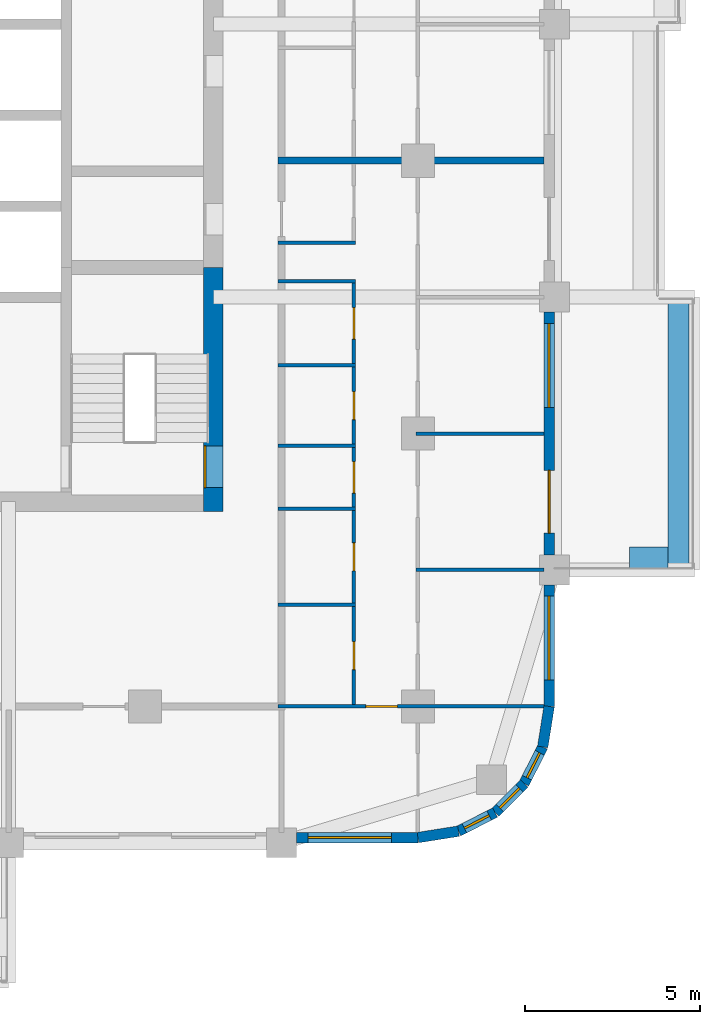
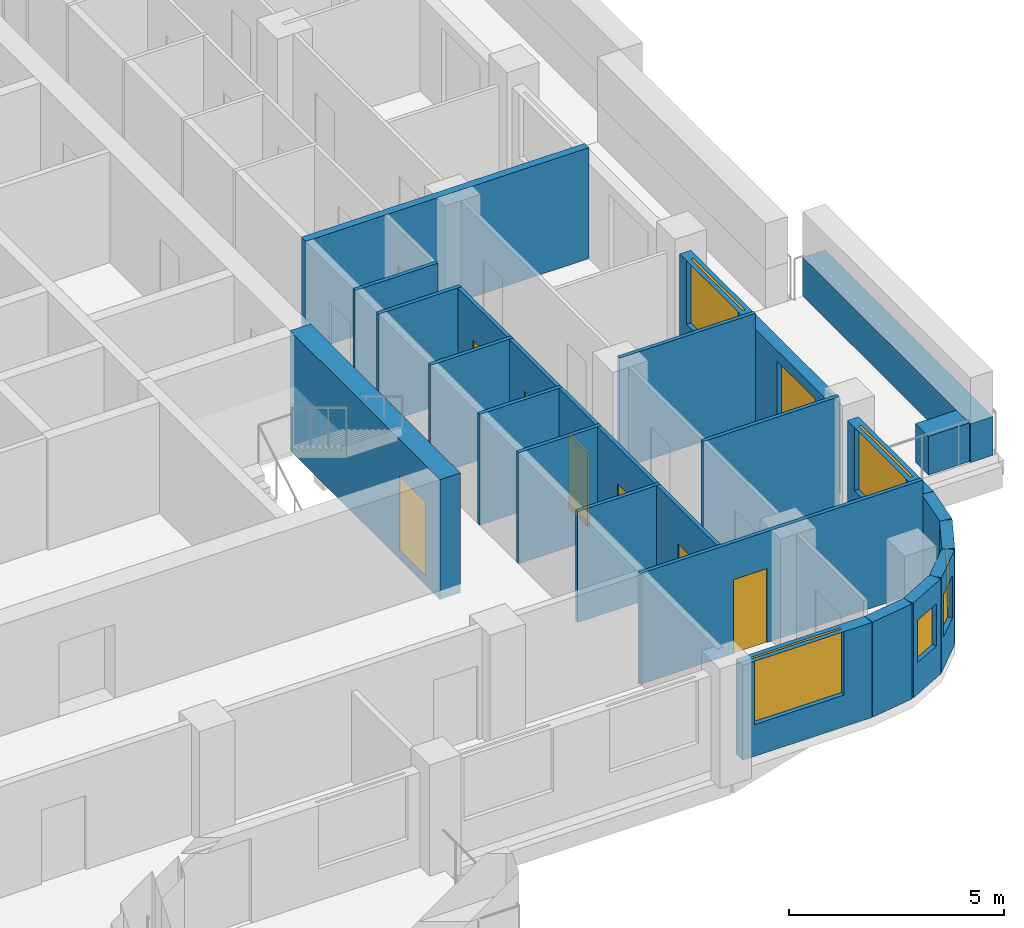
# One storey, part 5 of 12: 22 walls, 8 doors, 6 windows, 14 openings.
"""IFC4 building model written with IfcOpenShell, lengths in metres."""

from ifc_helpers import new_model, si_unit, direction, frame, frame_2d, origin, place, context, subcontext, project, spatial, rectangle, extrude, material, layer, layer_set, type_object, element, fill, save


model = new_model("IFC4")

# Units and contexts
model_context = context("Model", 3, precision=1e-05, world=origin(), true_north=direction((0.0, 1.0)))
body_context = subcontext(model_context, "Body", "Model", "MODEL_VIEW")
ifc_project = project(units=[si_unit("LENGTHUNIT", "METRE"), si_unit("AREAUNIT", "SQUARE_METRE"), si_unit("VOLUMEUNIT", "CUBIC_METRE"), si_unit("PLANEANGLEUNIT", "RADIAN"), si_unit("MASSUNIT", "GRAM", prefix="KILO")], contexts=[model_context])

# Site, building, storey
site_placement = place(None, origin())
site = spatial("IfcSite", under=ifc_project, at=site_placement, CompositionType="ELEMENT")
building_placement = place(site_placement, origin())
building = spatial("IfcBuilding", under=site, at=building_placement, Name="Ludao Terraces", CompositionType="ELEMENT")
storey_placement = place(building_placement, frame((0.0, 0.0, 137.300048828125)))
storey = spatial("IfcBuildingStorey", under=building, at=storey_placement, Name="L37", CompositionType="ELEMENT", Elevation=137.300048828125)

# Wall, opening, door
ifc_material_1 = material(Name="Concrete C60", Category="concrete")
ifc_layer_1 = layer(ifc_material_1, 0.550048828125)
ifc_layer_set_1 = layer_set([ifc_layer_1], Name="Core wall 550 C60")
wall_type_1 = type_object("IfcWallType", Name="Core wall 550 C60", PredefinedType="SOLIDWALL", material=ifc_layer_set_1)
wall_1_placement = place(storey_placement, frame((94.75, 54.97509765625, -0.25), z_axis=(0.0, 0.0, 1.0), x_axis=(0.0, 1.0, 0.0)))
wall_1 = element("IfcWall", 1, at=wall_1_placement, inside=storey, type_object=wall_type_1, Name="Core wall L37 outer-E-S3", PredefinedType="SOLIDWALL", context=body_context, shape_type="SweptSolid", body=[
    extrude(rectangle(XDim=6.974853515625, YDim=0.550048828125, at=frame_2d((3.4873046875, 0.0))), origin(), (0.0, 0.0, 1.0), 3.39990234375),
])
opening_1_placement = place(wall_1_placement, frame((0.675048828125, 0.0, 0.25)))
opening_1 = element("IfcOpeningElement", 2, at=opening_1_placement, cuts=wall_1, Name="Opening R12-019", PredefinedType="OPENING", context=body_context, shape_type="SweptSolid", body=[
    extrude(rectangle(XDim=1.199951171875, YDim=2.10009765625, at=frame_2d((0.60009765625, 1.050048828125))), frame((0.0, 0.28515625, 0.0), z_axis=(0.0, -1.0, 0.0), x_axis=(1.0, 0.0, 0.0)), (0.0, 0.0, 1.0), 0.570068359375),
])
ifc_material_2 = material(Name="Steel Q235", Category="steel")
door_type_1 = type_object("IfcDoorType", Name="INT Stair door 1200", OperationType="DOUBLE_DOOR_SINGLE_SWING", PredefinedType="DOOR", material=ifc_material_2)
door_1_placement = place(opening_1_placement, origin())
door_1 = element("IfcDoor", 3, at=door_1_placement, inside=storey, type_object=door_type_1, Name="DOOR 019", OperationType="DOUBLE_DOOR_SINGLE_SWING", OverallHeight=2.10009765625, OverallWidth=1.199951171875, PredefinedType="DOOR", context=body_context, shape_type="SweptSolid", body=[
    extrude(rectangle(XDim=1.199951171875, YDim=2.10009765625, at=frame_2d((0.60009765625, 1.050048828125))), frame((0.0, 0.26025390625, 0.0), z_axis=(0.0, -1.0, 0.0), x_axis=(1.0, 0.0, 0.0)), (0.0, 0.0, 1.0), 0.050048828125),
])
fill(opening_1, door_1)

# Walls
ifc_material_3 = material(Name="Concrete C40", Category="concrete")
ifc_layer_2 = layer(ifc_material_3, 0.60009765625)
ifc_layer_set_2 = layer_set([ifc_layer_2], Name="ENV Planter trough 600")
wall_type_2 = type_object("IfcWallType", Name="ENV Planter trough 600", PredefinedType="USERDEFINED", material=ifc_layer_set_2)
wall_2_placement = place(storey_placement, frame((108.050048828125, 53.300048828125, 0.0), z_axis=(0.0, 0.0, 1.0), x_axis=(0.0, 1.0, 0.0)))
element("IfcWall", 4, at=wall_2_placement, inside=storey, type_object=wall_type_2, Name="PL-L37-E1", ObjectType="PLANTER", PredefinedType="USERDEFINED", context=body_context, shape_type="SweptSolid", body=[
    extrude(rectangle(XDim=7.800048828125, YDim=0.60009765625, at=frame_2d((3.89990234375, 0.0))), origin(), (0.0, 0.0, 1.0), 1.099853515625),
])
wall_3_placement = place(storey_placement, frame((107.75, 53.64990234375, 0.0), z_axis=(0.0, 0.0, 1.0), x_axis=(-1.0, 0.0, 0.0)))
element("IfcWall", 5, at=wall_3_placement, inside=storey, type_object=wall_type_2, Name="PL-L37-E1-SA", ObjectType="PLANTER", PredefinedType="USERDEFINED", context=body_context, shape_type="SweptSolid", body=[
    extrude(rectangle(XDim=1.10009765625, YDim=0.60009765625, at=frame_2d((0.550048828125, 0.0))), origin(), (0.0, 0.0, 1.0), 1.099853515625),
])

# Wall, opening, window
ifc_material_4 = material(Name="Granite cladding", Category="masonry")
ifc_layer_3 = layer(ifc_material_4, 0.0400390625, Category="stone")
ifc_material_5 = material(Name="Mineral wool")
ifc_layer_4 = layer(ifc_material_5, 0.06005859375)
ifc_layer_5 = layer(ifc_material_3, 0.199951171875, Category="concrete")
ifc_layer_set_3 = layer_set([ifc_layer_3, ifc_layer_4, ifc_layer_5], Name="ENV Stone-clad wall 300")
wall_type_3 = type_object("IfcWallType", Name="ENV Stone-clad wall 300", PredefinedType="SOLIDWALL", material=ifc_layer_set_3)
wall_4_placement = place(storey_placement, frame((97.125, 45.64990234375, 0.0), z_axis=(0.0, 0.0, 1.0), x_axis=(1.0, 0.0, 0.0)))
wall_4 = element("IfcWall", 6, at=wall_4_placement, inside=storey, type_object=wall_type_3, Name="EW-L37-S5", PredefinedType="SOLIDWALL", context=body_context, shape_type="SweptSolid", body=[
    extrude(rectangle(XDim=3.47509765625, YDim=0.300048828125, at=frame_2d((1.737548828125, 0.0))), origin(), (0.0, 0.0, 1.0), 2.699951171875),
])
opening_2_placement = place(wall_4_placement, frame((0.324951171875, 0.0, 0.89990234375)))
opening_2 = element("IfcOpeningElement", 7, at=opening_2_placement, cuts=wall_4, Name="Opening W1", PredefinedType="OPENING", context=body_context, shape_type="SweptSolid", body=[
    extrude(rectangle(XDim=2.39990234375, YDim=1.800048828125, at=frame_2d((1.199951171875, 0.89990234375))), frame((0.0, 0.16015625, 0.0), z_axis=(0.0, -1.0, 0.0), x_axis=(1.0, 0.0, 0.0)), (0.0, 0.0, 1.0), 0.320068359375),
])
ifc_material_6 = material(Name="Clear glass in aluminium frame", Category="aluminium")
ifc_layer_6 = layer(ifc_material_6, 0.06005859375)
ifc_layer_set_4 = layer_set([ifc_layer_6], Name="ENV Window W1 2400x1800")
window_type_1 = type_object("IfcWindowType", Name="ENV Window W1 2400x1800", PartitioningType="DOUBLE_PANEL_VERTICAL", PredefinedType="WINDOW", material=ifc_layer_set_4)
window_1_placement = place(opening_2_placement, origin())
window_1 = element("IfcWindow", 8, at=window_1_placement, inside=storey, type_object=window_type_1, Name="W-L37-S5-1", OverallHeight=1.800048828125, OverallWidth=2.39990234375, PartitioningType="DOUBLE_PANEL_VERTICAL", PredefinedType="WINDOW", context=body_context, shape_type="SweptSolid", body=[
    extrude(rectangle(XDim=2.39990234375, YDim=1.800048828125, at=frame_2d((1.199951171875, 0.89990234375))), frame((0.0, 0.030029296875, 0.0), z_axis=(0.0, -1.0, 0.0), x_axis=(1.0, 0.0, 0.0)), (0.0, 0.0, 1.0), 0.06005859375),
])
fill(opening_2, window_1)

wall_5_placement = place(storey_placement, frame((104.35009765625, 49.39990234375, 0.0), z_axis=(0.0, 0.0, 1.0), x_axis=(0.0, 1.0, 0.0)))
wall_5 = element("IfcWall", 9, at=wall_5_placement, inside=storey, type_object=wall_type_3, Name="EW-L37-E1", PredefinedType="SOLIDWALL", context=body_context, shape_type="SweptSolid", body=[
    extrude(rectangle(XDim=3.47509765625, YDim=0.300048828125, at=frame_2d((1.737548828125, 0.0))), origin(), (0.0, 0.0, 1.0), 2.699951171875),
])
opening_3_placement = place(wall_5_placement, frame((0.75, 0.0, 0.89990234375)))
opening_3 = element("IfcOpeningElement", 10, at=opening_3_placement, cuts=wall_5, Name="Opening W1", PredefinedType="OPENING", context=body_context, shape_type="SweptSolid", body=[
    extrude(rectangle(XDim=2.39990234375, YDim=1.800048828125, at=frame_2d((1.199951171875, 0.89990234375))), frame((0.0, 0.16015625, 0.0), z_axis=(0.0, -1.0, 0.0), x_axis=(1.0, 0.0, 0.0)), (0.0, 0.0, 1.0), 0.320068359375),
])
window_2_placement = place(opening_3_placement, origin())
window_2 = element("IfcWindow", 11, at=window_2_placement, inside=storey, type_object=window_type_1, Name="W-L37-E1-1", OverallHeight=1.800048828125, OverallWidth=2.39990234375, PartitioningType="DOUBLE_PANEL_VERTICAL", PredefinedType="WINDOW", context=body_context, shape_type="SweptSolid", body=[
    extrude(rectangle(XDim=2.39990234375, YDim=1.800048828125, at=frame_2d((1.199951171875, 0.89990234375))), frame((0.0, 0.030029296875, 0.0), z_axis=(0.0, -1.0, 0.0), x_axis=(1.0, 0.0, 0.0)), (0.0, 0.0, 1.0), 0.06005859375),
])
fill(opening_3, window_2)

# Wall, openings, door, window
wall_6_placement = place(storey_placement, frame((104.35009765625, 53.72509765625, 0.0), z_axis=(0.0, 0.0, 1.0), x_axis=(0.0, 1.0, 0.0)))
wall_6 = element("IfcWall", 12, at=wall_6_placement, inside=storey, type_object=wall_type_3, Name="EW-L37-E2", PredefinedType="SOLIDWALL", context=body_context, shape_type="SweptSolid", body=[
    extrude(rectangle(XDim=6.949951171875, YDim=0.300048828125, at=frame_2d((3.47509765625, 0.0))), origin(), (0.0, 0.0, 1.0), 2.699951171875),
])
opening_4_placement = place(wall_6_placement, frame((0.625, 0.0, 0.0)))
opening_4 = element("IfcOpeningElement", 13, at=opening_4_placement, cuts=wall_6, Name="Opening BD", PredefinedType="OPENING", context=body_context, shape_type="SweptSolid", body=[
    extrude(rectangle(XDim=1.800048828125, YDim=2.39990234375, at=frame_2d((0.89990234375, 1.199951171875))), frame((0.0, 0.16015625, 0.0), z_axis=(0.0, -1.0, 0.0), x_axis=(1.0, 0.0, 0.0)), (0.0, 0.0, 1.0), 0.320068359375),
])
opening_5_placement = place(wall_6_placement, frame((4.22509765625, 0.0, 0.89990234375)))
opening_5 = element("IfcOpeningElement", 14, at=opening_5_placement, cuts=wall_6, Name="Opening W1", PredefinedType="OPENING", context=body_context, shape_type="SweptSolid", body=[
    extrude(rectangle(XDim=2.39990234375, YDim=1.800048828125, at=frame_2d((1.199951171875, 0.89990234375))), frame((0.0, 0.16015625, 0.0), z_axis=(0.0, -1.0, 0.0), x_axis=(1.0, 0.0, 0.0)), (0.0, 0.0, 1.0), 0.320068359375),
])
ifc_material_7 = material(Name="Aluminium glazed door", Category="aluminium")
ifc_layer_7 = layer(ifc_material_7, 0.06005859375)
ifc_layer_set_5 = layer_set([ifc_layer_7], Name="ENV Balcony door BD 1800x2400")
door_type_2 = type_object("IfcDoorType", Name="ENV Balcony door BD 1800x2400", OperationType="DOUBLE_DOOR_SINGLE_SWING", PredefinedType="DOOR", material=ifc_layer_set_5)
door_2_placement = place(opening_4_placement, origin())
door_2 = element("IfcDoor", 15, at=door_2_placement, inside=storey, type_object=door_type_2, Name="BD-L37-E2-1", OperationType="DOUBLE_DOOR_SINGLE_SWING", OverallHeight=2.39990234375, OverallWidth=1.800048828125, PredefinedType="DOOR", context=body_context, shape_type="SweptSolid", body=[
    extrude(rectangle(XDim=1.800048828125, YDim=2.39990234375, at=frame_2d((0.89990234375, 1.199951171875))), frame((0.0, 0.02490234375, 0.0), z_axis=(0.0, -1.0, 0.0), x_axis=(1.0, 0.0, 0.0)), (0.0, 0.0, 1.0), 0.050048828125),
])
fill(opening_4, door_2)
window_3_placement = place(opening_5_placement, origin())
window_3 = element("IfcWindow", 16, at=window_3_placement, inside=storey, type_object=window_type_1, Name="W-L37-E2-2", OverallHeight=1.800048828125, OverallWidth=2.39990234375, PartitioningType="DOUBLE_PANEL_VERTICAL", PredefinedType="WINDOW", context=body_context, shape_type="SweptSolid", body=[
    extrude(rectangle(XDim=2.39990234375, YDim=1.800048828125, at=frame_2d((1.199951171875, 0.89990234375))), frame((0.0, 0.030029296875, 0.0), z_axis=(0.0, -1.0, 0.0), x_axis=(1.0, 0.0, 0.0)), (0.0, 0.0, 1.0), 0.06005859375),
])
fill(opening_5, window_3)

# Wall
wall_7_placement = place(storey_placement, frame((100.60009765625, 45.64990234375, 0.0), z_axis=(0.0, 0.0, 1.0), x_axis=(0.987678452879, 0.156496880861, 0.0)))
element("IfcWall", 17, at=wall_7_placement, inside=storey, type_object=wall_type_3, Name="EW-L37-SE1", PredefinedType="SOLIDWALL", context=body_context, shape_type="SweptSolid", body=[
    extrude(rectangle(XDim=1.173095703125, YDim=0.300048828125, at=frame_2d((0.58642578125, 0.0))), origin(), (0.0, 0.0, 1.0), 2.699951171875),
])

# Wall, opening, window
wall_8_placement = place(storey_placement, frame((101.7587890625, 45.83349609375, 0.0), z_axis=(0.0, 0.0, 1.0), x_axis=(0.890988677504, 0.454025524128, 0.0)))
wall_8 = element("IfcWall", 18, at=wall_8_placement, inside=storey, type_object=wall_type_3, Name="EW-L37-SE2", PredefinedType="SOLIDWALL", context=body_context, shape_type="SweptSolid", body=[
    extrude(rectangle(XDim=1.17333984375, YDim=0.300048828125, at=frame_2d((0.586669921875, 0.0))), origin(), (0.0, 0.0, 1.0), 2.699951171875),
])
opening_6_placement = place(wall_8_placement, frame((0.1865234375, 0.0, 0.89990234375)))
opening_6 = element("IfcOpeningElement", 19, at=opening_6_placement, cuts=wall_8, Name="Opening W3", PredefinedType="OPENING", context=body_context, shape_type="SweptSolid", body=[
    extrude(rectangle(XDim=0.800048828125, YDim=1.199951171875, at=frame_2d((0.39990234375, 0.60009765625))), frame((0.0, 0.16015625, 0.0), z_axis=(0.0, -1.0, 0.0), x_axis=(1.0, 0.0, 0.0)), (0.0, 0.0, 1.0), 0.320068359375),
])
ifc_layer_8 = layer(ifc_material_6, 0.06005859375)
ifc_layer_set_6 = layer_set([ifc_layer_8], Name="ENV Window W3 800x1200")
window_type_2 = type_object("IfcWindowType", Name="ENV Window W3 800x1200", PartitioningType="SINGLE_PANEL", PredefinedType="WINDOW", material=ifc_layer_set_6)
window_4_placement = place(opening_6_placement, origin())
window_4 = element("IfcWindow", 20, at=window_4_placement, inside=storey, type_object=window_type_2, Name="W-L37-SE2", OverallHeight=1.199951171875, OverallWidth=0.800048828125, PartitioningType="SINGLE_PANEL", PredefinedType="WINDOW", context=body_context, shape_type="SweptSolid", body=[
    extrude(rectangle(XDim=0.800048828125, YDim=1.199951171875, at=frame_2d((0.39990234375, 0.60009765625))), frame((0.0, 0.030029296875, 0.0), z_axis=(0.0, -1.0, 0.0), x_axis=(1.0, 0.0, 0.0)), (0.0, 0.0, 1.0), 0.06005859375),
])
fill(opening_6, window_4)

wall_9_placement = place(storey_placement, frame((102.80419921875, 46.3662109375, 0.0), z_axis=(0.0, 0.0, 1.0), x_axis=(0.707106781187, 0.707106781187, 0.0)))
wall_9 = element("IfcWall", 21, at=wall_9_placement, inside=storey, type_object=wall_type_3, Name="EW-L37-SE3", PredefinedType="SOLIDWALL", context=body_context, shape_type="SweptSolid", body=[
    extrude(rectangle(XDim=1.173095703125, YDim=0.300048828125, at=frame_2d((0.58642578125, 0.0))), origin(), (0.0, 0.0, 1.0), 2.699951171875),
])
opening_7_placement = place(wall_9_placement, frame((0.1865234375, 0.0, 0.89990234375)))
opening_7 = element("IfcOpeningElement", 22, at=opening_7_placement, cuts=wall_9, Name="Opening W3", PredefinedType="OPENING", context=body_context, shape_type="SweptSolid", body=[
    extrude(rectangle(XDim=0.800048828125, YDim=1.199951171875, at=frame_2d((0.39990234375, 0.60009765625))), frame((0.0, 0.16015625, 0.0), z_axis=(0.0, -1.0, 0.0), x_axis=(1.0, 0.0, 0.0)), (0.0, 0.0, 1.0), 0.320068359375),
])
window_5_placement = place(opening_7_placement, origin())
window_5 = element("IfcWindow", 23, at=window_5_placement, inside=storey, type_object=window_type_2, Name="W-L37-SE3", OverallHeight=1.199951171875, OverallWidth=0.800048828125, PartitioningType="SINGLE_PANEL", PredefinedType="WINDOW", context=body_context, shape_type="SweptSolid", body=[
    extrude(rectangle(XDim=0.800048828125, YDim=1.199951171875, at=frame_2d((0.39990234375, 0.60009765625))), frame((0.0, 0.030029296875, 0.0), z_axis=(0.0, -1.0, 0.0), x_axis=(1.0, 0.0, 0.0)), (0.0, 0.0, 1.0), 0.06005859375),
])
fill(opening_7, window_5)

wall_10_placement = place(storey_placement, frame((103.6337890625, 47.19580078125, 0.0), z_axis=(0.0, 0.0, 1.0), x_axis=(0.454025524128, 0.890988677504, 0.0)))
wall_10 = element("IfcWall", 24, at=wall_10_placement, inside=storey, type_object=wall_type_3, Name="EW-L37-SE4", PredefinedType="SOLIDWALL", context=body_context, shape_type="SweptSolid", body=[
    extrude(rectangle(XDim=1.17333984375, YDim=0.300048828125, at=frame_2d((0.586669921875, 0.0))), origin(), (0.0, 0.0, 1.0), 2.699951171875),
])
opening_8_placement = place(wall_10_placement, frame((0.1865234375, 0.0, 0.89990234375)))
opening_8 = element("IfcOpeningElement", 25, at=opening_8_placement, cuts=wall_10, Name="Opening W3", PredefinedType="OPENING", context=body_context, shape_type="SweptSolid", body=[
    extrude(rectangle(XDim=0.800048828125, YDim=1.199951171875, at=frame_2d((0.39990234375, 0.60009765625))), frame((0.0, 0.16015625, 0.0), z_axis=(0.0, -1.0, 0.0), x_axis=(1.0, 0.0, 0.0)), (0.0, 0.0, 1.0), 0.320068359375),
])
window_6_placement = place(opening_8_placement, origin())
window_6 = element("IfcWindow", 26, at=window_6_placement, inside=storey, type_object=window_type_2, Name="W-L37-SE4", OverallHeight=1.199951171875, OverallWidth=0.800048828125, PartitioningType="SINGLE_PANEL", PredefinedType="WINDOW", context=body_context, shape_type="SweptSolid", body=[
    extrude(rectangle(XDim=0.800048828125, YDim=1.199951171875, at=frame_2d((0.39990234375, 0.60009765625))), frame((0.0, 0.030029296875, 0.0), z_axis=(0.0, -1.0, 0.0), x_axis=(1.0, 0.0, 0.0)), (0.0, 0.0, 1.0), 0.06005859375),
])
fill(opening_8, window_6)

# Wall
wall_11_placement = place(storey_placement, frame((104.16650390625, 48.2412109375, 0.0), z_axis=(0.0, 0.0, 1.0), x_axis=(0.156496880861, 0.987678452879, 0.0)))
element("IfcWall", 27, at=wall_11_placement, inside=storey, type_object=wall_type_3, Name="EW-L37-SE5", PredefinedType="SOLIDWALL", context=body_context, shape_type="SweptSolid", body=[
    extrude(rectangle(XDim=1.173095703125, YDim=0.300048828125, at=frame_2d((0.58642578125, 0.0))), origin(), (0.0, 0.0, 1.0), 2.699951171875),
])

# Wall, opening, door
ifc_material_8 = material(Name="Gypsum plasterboard", Category="gypsum")
ifc_layer_9 = layer(ifc_material_8, 0.012451171875, Category="gypsum")
ifc_layer_10 = layer(ifc_material_5, 0.06005859375, Name="insulation")
ifc_layer_11 = layer(ifc_material_2, 0.014892578125, Name="stud")
ifc_layer_12 = layer(ifc_material_8, 0.012451171875, Category="gypsum")
ifc_layer_set_7 = layer_set([ifc_layer_9, ifc_layer_10, ifc_layer_11, ifc_layer_12], Name="INT Partition 100")
wall_type_4 = type_object("IfcWallType", Name="INT Partition 100", PredefinedType="PARTITIONING", material=ifc_layer_set_7)
wall_12_placement = place(storey_placement, frame((96.60009765625, 49.39990234375, 0.0), z_axis=(0.0, 0.0, 1.0), x_axis=(1.0, 0.0, 0.0)))
wall_12 = element("IfcWall", 28, at=wall_12_placement, inside=storey, type_object=wall_type_4, Name="PW-L37-PW002", PredefinedType="PARTITIONING", context=body_context, shape_type="SweptSolid", body=[
    extrude(rectangle(XDim=7.60009765625, YDim=0.10009765625, at=frame_2d((3.800048828125, 0.0))), origin(), (0.0, 0.0, 1.0), 3.14990234375),
])
opening_9_placement = place(wall_12_placement, frame((2.510009765625, 0.0, 0.0)))
opening_9 = element("IfcOpeningElement", 29, at=opening_9_placement, cuts=wall_12, Name="Opening R12-006", PredefinedType="OPENING", context=body_context, shape_type="SweptSolid", body=[
    extrude(rectangle(XDim=0.89990234375, YDim=2.10009765625, at=frame_2d((0.449951171875, 1.050048828125))), frame((0.0, 0.06005859375, 0.0), z_axis=(0.0, -1.0, 0.0), x_axis=(1.0, 0.0, 0.0)), (0.0, 0.0, 1.0), 0.1201171875),
])
ifc_material_9 = material(Name="Timber door leaf", Category="wood")
door_type_3 = type_object("IfcDoorType", Name="INT Room door 900", OperationType="SINGLE_SWING_LEFT", PredefinedType="DOOR", material=ifc_material_9)
door_3_placement = place(opening_9_placement, origin())
door_3 = element("IfcDoor", 30, at=door_3_placement, inside=storey, type_object=door_type_3, Name="DOOR 006", OperationType="SINGLE_SWING_LEFT", OverallHeight=2.10009765625, OverallWidth=0.89990234375, PredefinedType="DOOR", context=body_context, shape_type="SweptSolid", body=[
    extrude(rectangle(XDim=0.89990234375, YDim=2.10009765625, at=frame_2d((0.449951171875, 1.050048828125))), frame((0.0, 0.02490234375, 0.0), z_axis=(0.0, -1.0, 0.0), x_axis=(1.0, 0.0, 0.0)), (0.0, 0.0, 1.0), 0.050048828125),
])
fill(opening_9, door_3)

# Walls
wall_13_placement = place(storey_placement, frame((96.60009765625, 52.300048828125, 0.0), z_axis=(0.0, 0.0, 1.0), x_axis=(1.0, 0.0, 0.0)))
element("IfcWall", 31, at=wall_13_placement, inside=storey, type_object=wall_type_4, Name="PW-L37-PW004", PredefinedType="PARTITIONING", context=body_context, shape_type="SweptSolid", body=[
    extrude(rectangle(XDim=2.219970703125, YDim=0.10009765625, at=frame_2d((1.10986328125, 0.0))), origin(), (0.0, 0.0, 1.0), 3.14990234375),
])
wall_14_placement = place(storey_placement, frame((100.550048828125, 53.300048828125, 0.0), z_axis=(0.0, 0.0, 1.0), x_axis=(1.0, 0.0, 0.0)))
element("IfcWall", 32, at=wall_14_placement, inside=storey, type_object=wall_type_4, Name="PW-L37-PW006", PredefinedType="PARTITIONING", context=body_context, shape_type="SweptSolid", body=[
    extrude(rectangle(XDim=3.650146484375, YDim=0.10009765625, at=frame_2d((1.8251953125, 0.0))), origin(), (0.0, 0.0, 1.0), 3.14990234375),
])
for number, where, z_axis, x_axis, name in (
    (33, (96.60009765625, 55.050048828125, 0.0), (0.0, 0.0, 1.0), (1.0, 0.0, 0.0), "PW-L37-PW008"),
    (34, (96.60009765625, 56.85009765625, 0.0), (0.0, 0.0, 1.0), (1.0, 0.0, 0.0), "PW-L37-PW011"),
):
    element("IfcWall", number, at=place(storey_placement, frame(where, z_axis=z_axis, x_axis=x_axis)), inside=storey, type_object=wall_type_4, Name=name, PredefinedType="PARTITIONING", context=body_context, shape_type="SweptSolid", body=[
        extrude(rectangle(XDim=2.219970703125, YDim=0.10009765625, at=frame_2d((1.10986328125, 0.0))), origin(), (0.0, 0.0, 1.0), 3.14990234375),
    ])
wall_15_placement = place(storey_placement, frame((100.550048828125, 57.199951171875, 0.0), z_axis=(0.0, 0.0, 1.0), x_axis=(1.0, 0.0, 0.0)))
element("IfcWall", 35, at=wall_15_placement, inside=storey, type_object=wall_type_4, Name="PW-L37-PW013", PredefinedType="PARTITIONING", context=body_context, shape_type="SweptSolid", body=[
    extrude(rectangle(XDim=3.650146484375, YDim=0.10009765625, at=frame_2d((1.8251953125, 0.0))), origin(), (0.0, 0.0, 1.0), 3.14990234375),
])
for number, where, z_axis, x_axis, name in (
    (36, (96.60009765625, 59.14990234375, 0.0), (0.0, 0.0, 1.0), (1.0, 0.0, 0.0), "PW-L37-PW014"),
    (37, (96.60009765625, 61.550048828125, 0.0), (0.0, 0.0, 1.0), (1.0, 0.0, 0.0), "PW-L37-PW019"),
    (38, (96.60009765625, 62.64990234375, 0.0), (0.0, 0.0, 1.0), (1.0, 0.0, 0.0), "PW-L37-PW021"),
):
    element("IfcWall", number, at=place(storey_placement, frame(where, z_axis=z_axis, x_axis=x_axis)), inside=storey, type_object=wall_type_4, Name=name, PredefinedType="PARTITIONING", context=body_context, shape_type="SweptSolid", body=[
        extrude(rectangle(XDim=2.219970703125, YDim=0.10009765625, at=frame_2d((1.10986328125, 0.0))), origin(), (0.0, 0.0, 1.0), 3.14990234375),
    ])

# Wall, openings, doors
wall_16_placement = place(storey_placement, frame((98.77001953125, 49.4501953125, 0.0), z_axis=(0.0, 0.0, 1.0), x_axis=(0.0, 1.0, 0.0)))
wall_16 = element("IfcWall", 39, at=wall_16_placement, inside=storey, type_object=wall_type_4, Name="PW-L37-PW057", PredefinedType="PARTITIONING", context=body_context, shape_type="SweptSolid", body=[
    extrude(rectangle(XDim=12.0498046875, YDim=0.10009765625, at=frame_2d((6.02490234375, 0.0))), origin(), (0.0, 0.0, 1.0), 3.14990234375),
])
opening_10_placement = place(wall_16_placement, frame((1.0, 0.0, 0.0)))
opening_10 = element("IfcOpeningElement", 40, at=opening_10_placement, cuts=wall_16, Name="Opening R12-008", PredefinedType="OPENING", context=body_context, shape_type="SweptSolid", body=[
    extrude(rectangle(XDim=0.800048828125, YDim=2.10009765625, at=frame_2d((0.39990234375, 1.050048828125))), frame((0.0, 0.06005859375, 0.0), z_axis=(0.0, -1.0, 0.0), x_axis=(1.0, 0.0, 0.0)), (0.0, 0.0, 1.0), 0.1201171875),
])
opening_11_placement = place(wall_16_placement, frame((3.824951171875, 0.0, 0.0)))
opening_11 = element("IfcOpeningElement", 41, at=opening_11_placement, cuts=wall_16, Name="Opening R12-012", PredefinedType="OPENING", context=body_context, shape_type="SweptSolid", body=[
    extrude(rectangle(XDim=0.800048828125, YDim=2.10009765625, at=frame_2d((0.39990234375, 1.050048828125))), frame((0.0, 0.06005859375, 0.0), z_axis=(0.0, -1.0, 0.0), x_axis=(1.0, 0.0, 0.0)), (0.0, 0.0, 1.0), 0.1201171875),
])
opening_12_placement = place(wall_16_placement, frame((6.0498046875, 0.0, 0.0)))
opening_12 = element("IfcOpeningElement", 42, at=opening_12_placement, cuts=wall_16, Name="Opening R12-017", PredefinedType="OPENING", context=body_context, shape_type="SweptSolid", body=[
    extrude(rectangle(XDim=0.89990234375, YDim=2.10009765625, at=frame_2d((0.449951171875, 1.050048828125))), frame((0.0, 0.06005859375, 0.0), z_axis=(0.0, -1.0, 0.0), x_axis=(1.0, 0.0, 0.0)), (0.0, 0.0, 1.0), 0.1201171875),
])
opening_13_placement = place(wall_16_placement, frame((8.14990234375, 0.0, 0.0)))
opening_13 = element("IfcOpeningElement", 43, at=opening_13_placement, cuts=wall_16, Name="Opening R12-022", PredefinedType="OPENING", context=body_context, shape_type="SweptSolid", body=[
    extrude(rectangle(XDim=0.800048828125, YDim=2.10009765625, at=frame_2d((0.39990234375, 1.050048828125))), frame((0.0, 0.06005859375, 0.0), z_axis=(0.0, -1.0, 0.0), x_axis=(1.0, 0.0, 0.0)), (0.0, 0.0, 1.0), 0.1201171875),
])
opening_14_placement = place(wall_16_placement, frame((10.449951171875, 0.0, 0.0)))
opening_14 = element("IfcOpeningElement", 44, at=opening_14_placement, cuts=wall_16, Name="Opening R12-026", PredefinedType="OPENING", context=body_context, shape_type="SweptSolid", body=[
    extrude(rectangle(XDim=0.89990234375, YDim=2.10009765625, at=frame_2d((0.449951171875, 1.050048828125))), frame((0.0, 0.06005859375, 0.0), z_axis=(0.0, -1.0, 0.0), x_axis=(1.0, 0.0, 0.0)), (0.0, 0.0, 1.0), 0.1201171875),
])
door_type_4 = type_object("IfcDoorType", Name="INT Bathroom door 900", OperationType="SINGLE_SWING_LEFT", PredefinedType="DOOR", material=ifc_material_9)
door_4_placement = place(opening_12_placement, origin())
door_4 = element("IfcDoor", 45, at=door_4_placement, inside=storey, type_object=door_type_4, Name="DOOR 017", OperationType="SINGLE_SWING_RIGHT", OverallHeight=2.10009765625, OverallWidth=0.89990234375, PredefinedType="DOOR", context=body_context, shape_type="SweptSolid", body=[
    extrude(rectangle(XDim=0.89990234375, YDim=2.10009765625, at=frame_2d((0.449951171875, 1.050048828125))), frame((0.0, 0.02490234375, 0.0), z_axis=(0.0, -1.0, 0.0), x_axis=(1.0, 0.0, 0.0)), (0.0, 0.0, 1.0), 0.050048828125),
])
fill(opening_12, door_4)
door_5_placement = place(opening_14_placement, origin())
door_5 = element("IfcDoor", 46, at=door_5_placement, inside=storey, type_object=door_type_4, Name="DOOR 026", OperationType="SINGLE_SWING_RIGHT", OverallHeight=2.10009765625, OverallWidth=0.89990234375, PredefinedType="DOOR", context=body_context, shape_type="SweptSolid", body=[
    extrude(rectangle(XDim=0.89990234375, YDim=2.10009765625, at=frame_2d((0.449951171875, 1.050048828125))), frame((0.0, 0.02490234375, 0.0), z_axis=(0.0, -1.0, 0.0), x_axis=(1.0, 0.0, 0.0)), (0.0, 0.0, 1.0), 0.050048828125),
])
fill(opening_14, door_5)
door_type_5 = type_object("IfcDoorType", Name="INT Store door 800", OperationType="SINGLE_SWING_LEFT", PredefinedType="DOOR", material=ifc_material_9)
door_6_placement = place(opening_10_placement, origin())
door_6 = element("IfcDoor", 47, at=door_6_placement, inside=storey, type_object=door_type_5, Name="DOOR 008", OperationType="SINGLE_SWING_LEFT", OverallHeight=2.10009765625, OverallWidth=0.800048828125, PredefinedType="DOOR", context=body_context, shape_type="SweptSolid", body=[
    extrude(rectangle(XDim=0.800048828125, YDim=2.10009765625, at=frame_2d((0.39990234375, 1.050048828125))), frame((0.0, 0.02490234375, 0.0), z_axis=(0.0, -1.0, 0.0), x_axis=(1.0, 0.0, 0.0)), (0.0, 0.0, 1.0), 0.050048828125),
])
fill(opening_10, door_6)
door_7_placement = place(opening_11_placement, origin())
door_7 = element("IfcDoor", 48, at=door_7_placement, inside=storey, type_object=door_type_5, Name="DOOR 012", OperationType="SINGLE_SWING_LEFT", OverallHeight=2.10009765625, OverallWidth=0.800048828125, PredefinedType="DOOR", context=body_context, shape_type="SweptSolid", body=[
    extrude(rectangle(XDim=0.800048828125, YDim=2.10009765625, at=frame_2d((0.39990234375, 1.050048828125))), frame((0.0, 0.02490234375, 0.0), z_axis=(0.0, -1.0, 0.0), x_axis=(1.0, 0.0, 0.0)), (0.0, 0.0, 1.0), 0.050048828125),
])
fill(opening_11, door_7)
door_8_placement = place(opening_13_placement, origin())
door_8 = element("IfcDoor", 49, at=door_8_placement, inside=storey, type_object=door_type_5, Name="DOOR 022", OperationType="SINGLE_SWING_LEFT", OverallHeight=2.10009765625, OverallWidth=0.800048828125, PredefinedType="DOOR", context=body_context, shape_type="SweptSolid", body=[
    extrude(rectangle(XDim=0.800048828125, YDim=2.10009765625, at=frame_2d((0.39990234375, 1.050048828125))), frame((0.0, 0.02490234375, 0.0), z_axis=(0.0, -1.0, 0.0), x_axis=(1.0, 0.0, 0.0)), (0.0, 0.0, 1.0), 0.050048828125),
])
fill(opening_13, door_8)

# Wall
ifc_material_10 = material(Name="Autoclaved aerated concrete block B06 A3.5", Category="concrete")
ifc_layer_13 = layer(ifc_material_10, 0.199951171875)
ifc_layer_set_8 = layer_set([ifc_layer_13], Name="INT Party wall 200")
wall_type_5 = type_object("IfcWallType", Name="INT Party wall 200", PredefinedType="PARTITIONING", material=ifc_layer_set_8)
wall_17_placement = place(storey_placement, frame((96.60009765625, 65.0, 0.0), z_axis=(0.0, 0.0, 1.0), x_axis=(1.0, 0.0, 0.0)))
element("IfcWall", 50, at=wall_17_placement, inside=storey, type_object=wall_type_5, Name="PW-L37-PW023", PredefinedType="PARTITIONING", context=body_context, shape_type="SweptSolid", body=[
    extrude(rectangle(XDim=7.60009765625, YDim=0.199951171875, at=frame_2d((3.800048828125, 0.0))), origin(), (0.0, 0.0, 1.0), 3.14990234375),
])

save(model, "model.ifc")
